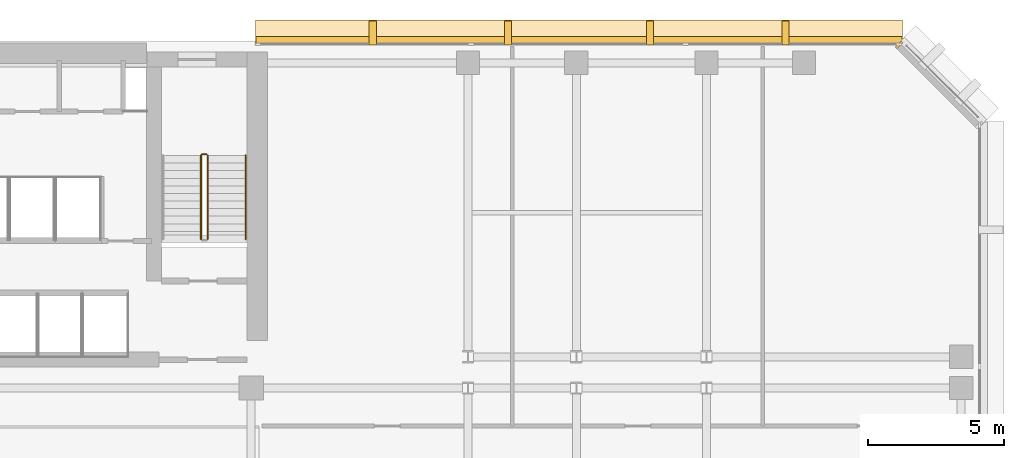
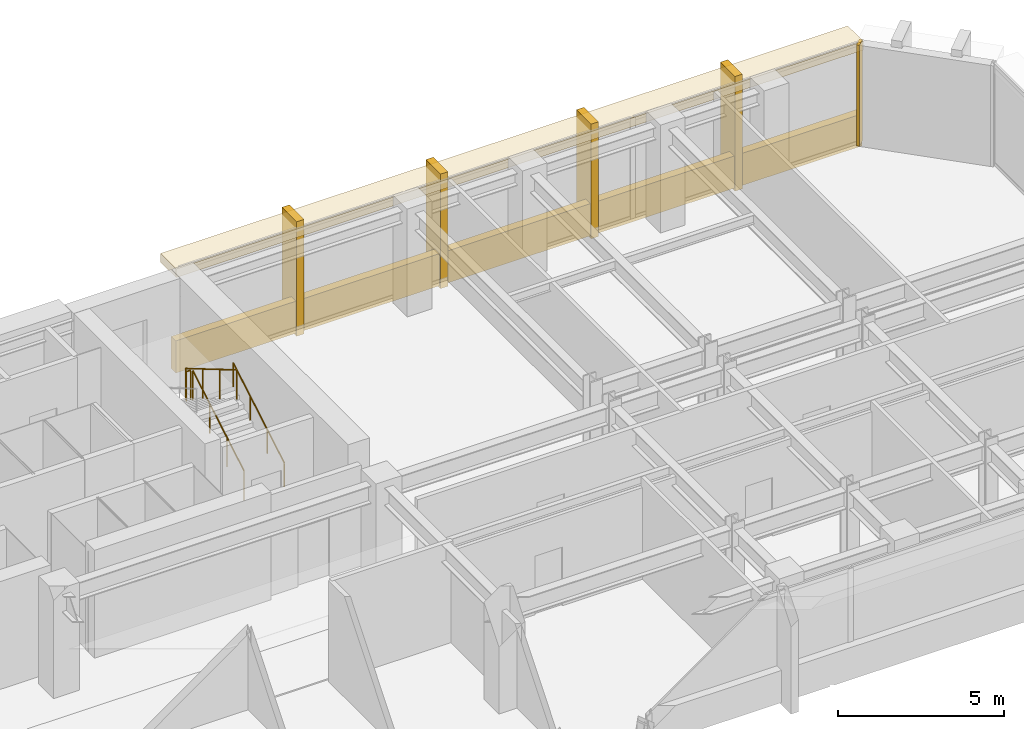
# One storey, part 11 of 12: 7 coverings, 4 railings.
"""IFC4 building model written with IfcOpenShell, lengths in metres."""

from ifc_helpers import new_model, si_unit, direction, frame, origin, origin_2d, place, context, subcontext, project, spatial, rectangle, circle, extrude, material, layer, layer_set, type_object, element, save


model = new_model("IFC4")

# Units and contexts
model_context = context("Model", 3, precision=1e-05, world=origin(), true_north=direction((0.0, 1.0)))
body_context = subcontext(model_context, "Body", "Model", "MODEL_VIEW")
ifc_project = project(units=[si_unit("LENGTHUNIT", "METRE"), si_unit("AREAUNIT", "SQUARE_METRE"), si_unit("VOLUMEUNIT", "CUBIC_METRE"), si_unit("PLANEANGLEUNIT", "RADIAN"), si_unit("MASSUNIT", "GRAM", prefix="KILO")], contexts=[model_context])

# Site, building, storey
site_placement = place(None, origin())
site = spatial("IfcSite", under=ifc_project, at=site_placement, CompositionType="ELEMENT")
building_placement = place(site_placement, origin())
building = spatial("IfcBuilding", under=site, at=building_placement, Name="Kefirva Bronze Tower", CompositionType="ELEMENT")
storey_placement = place(building_placement, frame((0.0, 0.0, 126.389892578125)))
storey = spatial("IfcBuildingStorey", under=building, at=storey_placement, Name="L30", CompositionType="ELEMENT", Elevation=126.389892578125)

# Coverings
ifc_material_1 = material(Name="Bronze anodised aluminium", Category="aluminium")
ifc_layer_1 = layer(ifc_material_1, 0.02001953125, Name="Bronze anodised aluminium")
ifc_layer_set_1 = layer_set([ifc_layer_1], Name="Bronze anodised aluminium")
covering_type_1 = type_object("IfcCoveringType", Name="Anodised Bronze Spandrel Cladding 20mm", PredefinedType="CLADDING", material=ifc_layer_set_1)
covering_1_placement = place(storey_placement, frame((47.11181640625, 45.862060546875, 0.000244140625), z_axis=(0.0, 0.0, 1.0), x_axis=(-0.707106781187, 0.707106781187, 0.0)))
element("IfcCovering", 1, at=covering_1_placement, inside=storey, type_object=covering_type_1, Name="L30 Facade Joint Closure Panel 4E", PredefinedType="CLADDING", context=body_context, shape_type="SweptSolid", body=[
    extrude(rectangle(XDim=0.10009765625, YDim=0.320068359375, at=origin_2d()), origin(), (0.0, 0.0, 1.0), 3.7099609375),
])
covering_2_placement = place(storey_placement, frame((35.302490234375, 46.0400390625, -0.15966796875), z_axis=(0.0, 0.0, 1.0), x_axis=(-1.0, 0.0, 0.0)))
element("IfcCovering", 2, at=covering_2_placement, inside=storey, type_object=covering_type_1, Name="L30 Streamline Horizontal Spandrel Band 8", PredefinedType="CLADDING", context=body_context, shape_type="SweptSolid", body=[
    extrude(rectangle(XDim=23.8349609375, YDim=0.280029296875, at=origin_2d()), origin(), (0.0, 0.0, 1.0), 1.179931640625),
])

# Railings
ifc_material_2 = material(Name="Stainless steel 316", Category="steel")
railing_type_1 = type_object("IfcRailingType", Name="Interior Stair Guardrail 1100mm", PredefinedType="GUARDRAIL", material=ifc_material_2)
railing_1_placement = place(storey_placement, frame((21.60009765625, 38.699951171875, 0.1650390625)))
element("IfcRailing", 3, at=railing_1_placement, inside=storey, type_object=railing_type_1, Name="L30 ST-2 stair guard 1", PredefinedType="GUARDRAIL", context=body_context, shape_type="SweptSolid", body=[
    extrude(circle(Radius=0.02392578125, at=origin_2d()), frame((0.0, 0.0, 1.076171875), z_axis=(0.0, 0.861521393093, 0.507721271215), x_axis=(-1.0, 0.0, 0.0)), (0.0, 0.0, 1.0), 3.5751953125),
    extrude(circle(Radius=0.02099609375, at=origin_2d()), origin(), (0.0, 0.0, 1.0), 1.052001953125),
    extrude(circle(Radius=0.02099609375, at=origin_2d()), frame((0.0, 1.026611328125, 0.60498046875)), (0.0, 0.0, 1.0), 1.052001953125),
    extrude(circle(Radius=0.02099609375, at=origin_2d()), frame((0.0, 2.053466796875, 1.210205078125)), (0.0, 0.0, 1.0), 1.052001953125),
    extrude(circle(Radius=0.02099609375, at=origin_2d()), frame((0.0, 3.080078125, 1.815185546875)), (0.0, 0.0, 1.0), 1.052001953125),
])
railing_2_placement = place(storey_placement, frame((21.550048828125, 41.830078125, 1.980224609375)))
element("IfcRailing", 4, at=railing_2_placement, inside=storey, type_object=railing_type_1, Name="L30 ST-2 stair guard 2", PredefinedType="GUARDRAIL", context=body_context, shape_type="SweptSolid", body=[
    extrude(circle(Radius=0.02392578125, at=origin_2d()), frame((0.0, 0.0, 1.076171875), z_axis=(-1.0, 0.0, 0.0), x_axis=(0.0, -1.0, 0.0)), (0.0, 0.0, 1.0), 0.150146484375),
    extrude(circle(Radius=0.02099609375, at=origin_2d()), origin(), (0.0, 0.0, 1.0), 1.052001953125),
    extrude(circle(Radius=0.02099609375, at=origin_2d()), frame((-0.150146484375, 0.0, 0.0)), (0.0, 0.0, 1.0), 1.052001953125),
])
railing_3_placement = place(storey_placement, frame((21.35009765625, 41.780029296875, 2.14501953125)))
element("IfcRailing", 5, at=railing_3_placement, inside=storey, type_object=railing_type_1, Name="L30 ST-2 stair guard 3", PredefinedType="GUARDRAIL", context=body_context, shape_type="SweptSolid", body=[
    extrude(circle(Radius=0.02392578125, at=origin_2d()), frame((0.0, 0.0, 1.076171875), z_axis=(0.0, -0.861521393093, 0.507721271215), x_axis=(1.0, 0.0, 0.0)), (0.0, 0.0, 1.0), 3.5751953125),
    extrude(circle(Radius=0.02099609375, at=origin_2d()), origin(), (0.0, 0.0, 1.0), 1.052001953125),
    extrude(circle(Radius=0.02099609375, at=origin_2d()), frame((0.0, -1.026611328125, 0.60498046875)), (0.0, 0.0, 1.0), 1.052001953125),
    extrude(circle(Radius=0.02099609375, at=origin_2d()), frame((0.0, -2.053466796875, 1.210205078125)), (0.0, 0.0, 1.0), 1.052001953125),
    extrude(circle(Radius=0.02099609375, at=origin_2d()), frame((0.0, -3.080078125, 1.815185546875)), (0.0, 0.0, 1.0), 1.052001953125),
])
railing_type_2 = type_object("IfcRailingType", Name="Stair Pitch Handrail 900mm", PredefinedType="HANDRAIL", material=ifc_material_2)
railing_4_placement = place(storey_placement, frame((23.0, 38.699951171875, 0.1650390625)))
element("IfcRailing", 6, at=railing_4_placement, inside=storey, type_object=railing_type_2, Name="L30 ST-2 stair handrail 1", PredefinedType="HANDRAIL", context=body_context, shape_type="SweptSolid", body=[
    extrude(circle(Radius=0.02392578125, at=origin_2d()), frame((0.0, 0.0, 0.8759765625), z_axis=(0.0, 0.861521393093, 0.507721271215), x_axis=(-1.0, 0.0, 0.0)), (0.0, 0.0, 1.0), 3.5751953125),
    extrude(circle(Radius=0.02099609375, at=origin_2d()), origin(), (0.0, 0.0, 1.0), 0.851806640625),
    extrude(circle(Radius=0.02099609375, at=origin_2d()), frame((0.0, 1.026611328125, 0.60498046875)), (0.0, 0.0, 1.0), 0.851806640625),
    extrude(circle(Radius=0.02099609375, at=origin_2d()), frame((0.0, 2.053466796875, 1.210205078125)), (0.0, 0.0, 1.0), 0.851806640625),
    extrude(circle(Radius=0.02099609375, at=origin_2d()), frame((0.0, 3.080078125, 1.815185546875)), (0.0, 0.0, 1.0), 0.851806640625),
])

# Coverings
ifc_layer_2 = layer(ifc_material_1, 0.179931640625, Name="Bronze anodised aluminium")
ifc_layer_set_2 = layer_set([ifc_layer_2], Name="Bronze anodised aluminium")
covering_type_2 = type_object("IfcCoveringType", Name="Streamline Bronze Sunshade Eyebrow Cladding 180mm", PredefinedType="CLADDING", material=ifc_layer_set_2)
covering_3_placement = place(storey_placement, frame((35.302490234375, 46.31005859375, 3.39013671875), z_axis=(0.0, 0.0, 1.0), x_axis=(-1.0, 0.0, 0.0)))
element("IfcCovering", 7, at=covering_3_placement, inside=storey, type_object=covering_type_2, Name="L30 Streamline Bronze Sunshade Eyebrow 8", PredefinedType="CLADDING", context=body_context, shape_type="SweptSolid", body=[
    extrude(rectangle(XDim=23.875, YDim=0.93994140625, at=origin_2d()), origin(), (0.0, 0.0, 1.0), 0.320068359375),
])
ifc_layer_3 = layer(ifc_material_1, 0.260009765625, Name="Bronze anodised aluminium")
ifc_layer_set_3 = layer_set([ifc_layer_3], Name="Bronze anodised aluminium")
covering_type_3 = type_object("IfcCoveringType", Name="Unbroken Bronze Buttress Fin Cladding 260mm", PredefinedType="CLADDING", material=ifc_layer_set_3)
for number, where, z_axis, x_axis, name in (
    (8, (42.9169921875, 46.300048828125, -0.249755859375), (0.0, 0.0, 1.0), (-1.0, 0.0, 0.0), "L30 Unbroken Vertical Bronze Rib Fin 17"),
    (9, (37.919921875, 46.300048828125, -0.249755859375), (0.0, 0.0, 1.0), (-1.0, 0.0, 0.0), "L30 Unbroken Vertical Bronze Rib Fin 18"),
    (10, (32.68505859375, 46.300048828125, -0.249755859375), (0.0, 0.0, 1.0), (-1.0, 0.0, 0.0), "L30 Unbroken Vertical Bronze Rib Fin 19"),
    (11, (27.68798828125, 46.300048828125, -0.249755859375), (0.0, 0.0, 1.0), (-1.0, 0.0, 0.0), "L30 Unbroken Vertical Bronze Rib Fin 20"),
):
    element("IfcCovering", number, at=place(storey_placement, frame(where, z_axis=z_axis, x_axis=x_axis)), inside=storey, type_object=covering_type_3, Name=name, PredefinedType="CLADDING", context=body_context, shape_type="SweptSolid", body=[
        extrude(rectangle(XDim=0.260009765625, YDim=0.8798828125, at=origin_2d()), origin(), (0.0, 0.0, 1.0), 4.2099609375),
    ])

save(model, "model.ifc")
